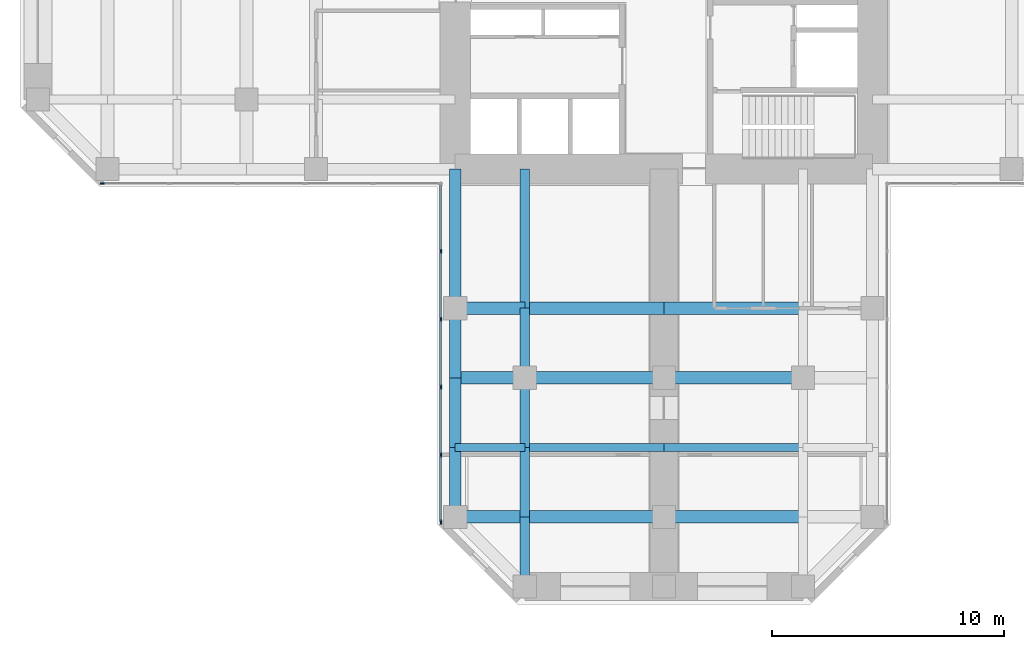
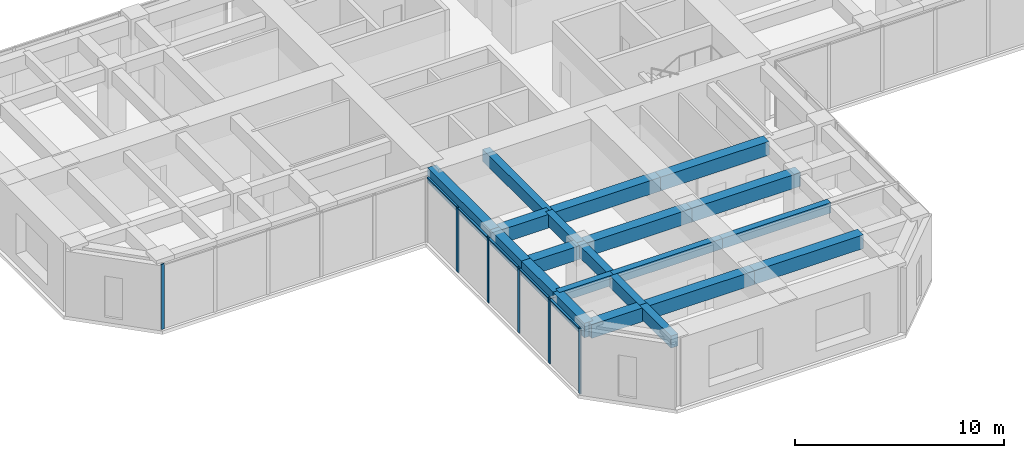
# One storey, part 2 of 12: 21 beams, 11 members, 2 elements without a shape of their own.
"""IFC4 building model written with IfcOpenShell, lengths in metres."""

from ifc_helpers import new_model, si_unit, direction, frame, origin, origin_2d, place, context, subcontext, project, spatial, rectangle, extrude, material, material_profile, profile_set, type_object, element, aggregate, save


model = new_model("IFC4")

# Units and contexts
model_context = context("Model", 3, precision=1e-05, world=origin(), true_north=direction((0.0, 1.0)))
body_context = subcontext(model_context, "Body", "Model", "MODEL_VIEW")
ifc_project = project(units=[si_unit("LENGTHUNIT", "METRE"), si_unit("AREAUNIT", "SQUARE_METRE"), si_unit("VOLUMEUNIT", "CUBIC_METRE"), si_unit("PLANEANGLEUNIT", "RADIAN"), si_unit("MASSUNIT", "GRAM", prefix="KILO")], contexts=[model_context])

# Site, building, storey
site_placement = place(None, origin())
site = spatial("IfcSite", under=ifc_project, at=site_placement, CompositionType="ELEMENT")
building_placement = place(site_placement, origin())
building = spatial("IfcBuilding", under=site, at=building_placement, Name="Torre Cruceta", CompositionType="ELEMENT")
storey_placement = place(building_placement, frame((0.0, 0.0, 148.5)))
storey = spatial("IfcBuildingStorey", under=building, at=storey_placement, Name="L36", CompositionType="ELEMENT", Elevation=148.5)

# Beams
ifc_material_1 = material(Name="Concrete G60 (fck 60 MPa)", Category="concrete")
ifc_material_profile_1 = material_profile(ifc_material_1, rectangle(XDim=0.39990234375, YDim=0.699951171875, at=origin_2d()), Name="RC 400X700")
ifc_profile_set_1 = profile_set([ifc_material_profile_1], Name="Concrete G60 (fck 60 MPa)")
beam_type_1 = type_object("IfcBeamType", Name="COLUMN LINE BEAM RC 400X700", PredefinedType="BEAM", material=ifc_profile_set_1)
beam_1_placement = place(storey_placement, frame((-6.0, -9.0, 3.449951171875), z_axis=(0.0, -1.0, 0.0), x_axis=(1.0, 0.0, 0.0)))
element("IfcBeam", 1, at=beam_1_placement, inside=storey, type_object=beam_type_1, Name="LB5 L36 S col- 1", PredefinedType="BEAM", context=body_context, shape_type="SweptSolid", body=[
    extrude(rectangle(XDim=0.39990234375, YDim=0.699951171875, at=origin_2d()), origin(), (0.0, 0.0, 1.0), 6.0),
])
for number, where, z_axis, x_axis, name in (
    (2, (-6.0, -15.0, 3.449951171875), (0.0, -1.0, 0.0), (1.0, 0.0, 0.0), "LB5 L36 S col- 2"),
    (3, (-6.0, -18.0, 3.449951171875), (0.0, -1.0, 0.0), (1.0, 0.0, 0.0), "LB5 L36 S col- 3"),
    (4, (-6.0, -21.0, 3.449951171875), (0.0, -1.0, 0.0), (1.0, 0.0, 0.0), "LB5 L36 S col- 4"),
    (5, (-6.0, -24.0, 3.449951171875), (0.0, -1.0, 0.0), (1.0, 0.0, 0.0), "LB5 L36 S col- 5"),
):
    element("IfcBeam", number, at=place(storey_placement, frame(where, z_axis=z_axis, x_axis=x_axis)), inside=storey, type_object=beam_type_1, Name=name, PredefinedType="BEAM", context=body_context, shape_type="SweptSolid", body=[
        extrude(rectangle(XDim=0.39990234375, YDim=0.699951171875, at=origin_2d()), origin(), (0.0, 0.0, 1.0), 3.0),
    ])
ifc_material_2 = material(Name="Concrete G60 (fck 60 MPa)", Category="concrete")
ifc_material_profile_2 = material_profile(ifc_material_2, rectangle(XDim=0.550048828125, YDim=0.800048828125, at=origin_2d()), Name="RC 550X800")
ifc_profile_set_2 = profile_set([ifc_material_profile_2], Name="Concrete G60 (fck 60 MPa)")
beam_type_2 = type_object("IfcBeamType", Name="CROSS BEAM RC 550X800", PredefinedType="BEAM", material=ifc_profile_set_2)
beam_2_placement = place(storey_placement, frame((-9.0, -15.0, 3.39990234375), z_axis=(1.0, 0.0, 0.0), x_axis=(0.0, 1.0, 0.0)))
element("IfcBeam", 6, at=beam_2_placement, inside=storey, type_object=beam_type_2, Name="GB5 L36 S cross15 1", PredefinedType="BEAM", context=body_context, shape_type="SweptSolid", body=[
    extrude(rectangle(XDim=0.550048828125, YDim=0.800048828125, at=origin_2d()), origin(), (0.0, 0.0, 1.0), 3.0),
])
for number, where, z_axis, x_axis, name in (
    (7, (-6.0, -15.0, 3.39990234375), (1.0, 0.0, 0.0), (0.0, 1.0, 0.0), "GB5 L36 S cross15 2"),
    (8, (0.0, -15.0, 3.39990234375), (1.0, 0.0, 0.0), (0.0, 1.0, 0.0), "GB5 L36 S cross15 3"),
):
    element("IfcBeam", number, at=place(storey_placement, frame(where, z_axis=z_axis, x_axis=x_axis)), inside=storey, type_object=beam_type_2, Name=name, PredefinedType="BEAM", context=body_context, shape_type="SweptSolid", body=[
        extrude(rectangle(XDim=0.550048828125, YDim=0.800048828125, at=origin_2d()), origin(), (0.0, 0.0, 1.0), 6.0),
    ])
beam_3_placement = place(storey_placement, frame((-9.0, -18.0, 3.39990234375), z_axis=(1.0, 0.0, 0.0), x_axis=(0.0, 1.0, 0.0)))
element("IfcBeam", 9, at=beam_3_placement, inside=storey, type_object=beam_type_2, Name="GB5 L36 S cross18 1", PredefinedType="BEAM", context=body_context, shape_type="SweptSolid", body=[
    extrude(rectangle(XDim=0.550048828125, YDim=0.800048828125, at=origin_2d()), origin(), (0.0, 0.0, 1.0), 3.0),
])
for number, where, z_axis, x_axis, name in (
    (10, (-6.0, -18.0, 3.39990234375), (1.0, 0.0, 0.0), (0.0, 1.0, 0.0), "GB5 L36 S cross18 2"),
    (11, (0.0, -18.0, 3.39990234375), (1.0, 0.0, 0.0), (0.0, 1.0, 0.0), "GB5 L36 S cross18 3"),
):
    element("IfcBeam", number, at=place(storey_placement, frame(where, z_axis=z_axis, x_axis=x_axis)), inside=storey, type_object=beam_type_2, Name=name, PredefinedType="BEAM", context=body_context, shape_type="SweptSolid", body=[
        extrude(rectangle(XDim=0.550048828125, YDim=0.800048828125, at=origin_2d()), origin(), (0.0, 0.0, 1.0), 6.0),
    ])
beam_4_placement = place(storey_placement, frame((-9.0, -24.0, 3.39990234375), z_axis=(1.0, 0.0, 0.0), x_axis=(0.0, 1.0, 0.0)))
element("IfcBeam", 12, at=beam_4_placement, inside=storey, type_object=beam_type_2, Name="GB5 L36 S cross24 1", PredefinedType="BEAM", context=body_context, shape_type="SweptSolid", body=[
    extrude(rectangle(XDim=0.550048828125, YDim=0.800048828125, at=origin_2d()), origin(), (0.0, 0.0, 1.0), 3.0),
])
for number, where, z_axis, x_axis, name in (
    (13, (-6.0, -24.0, 3.39990234375), (1.0, 0.0, 0.0), (0.0, 1.0, 0.0), "GB5 L36 S cross24 2"),
    (14, (0.0, -24.0, 3.39990234375), (1.0, 0.0, 0.0), (0.0, 1.0, 0.0), "GB5 L36 S cross24 3"),
):
    element("IfcBeam", number, at=place(storey_placement, frame(where, z_axis=z_axis, x_axis=x_axis)), inside=storey, type_object=beam_type_2, Name=name, PredefinedType="BEAM", context=body_context, shape_type="SweptSolid", body=[
        extrude(rectangle(XDim=0.550048828125, YDim=0.800048828125, at=origin_2d()), origin(), (0.0, 0.0, 1.0), 6.0),
    ])

# Curtain wall, member
ifc_material_3 = material(Name="Aluminium unitised curtain wall", Category="aluminium")
curtain_wall_type = type_object("IfcCurtainWallType", Name="CURTAIN WALL CW-B OFFICE MID RISE", PredefinedType="USERDEFINED", material=ifc_material_3)
curtain_wall_1_placement = place(storey_placement, origin())
curtain_wall_1 = element("IfcCurtainWall", 15, at=curtain_wall_1_placement, inside=storey, type_object=curtain_wall_type, Name="CW-B L36 W side 14", ObjectType="UNITISED", PredefinedType="USERDEFINED")
ifc_material_4 = material(Name="Aluminium mullion", Category="aluminium")
ifc_material_profile_3 = material_profile(ifc_material_4, rectangle(XDim=0.06494140625, YDim=0.179931640625, at=origin_2d()), Name="AL 65X180")
ifc_profile_set_3 = profile_set([ifc_material_profile_3], Name="Aluminium mullion")
member_type_1 = type_object("IfcMemberType", Name="CW-B MULLION 65X180", PredefinedType="MULLION", material=ifc_profile_set_3)
member_1_placement = place(storey_placement, frame((-24.224365234375, -9.6201171875, 0.0), z_axis=(0.0, 0.0, 1.0), x_axis=(0.0, 1.0, 0.0)))
member_1 = element("IfcMember", 16, at=member_1_placement, type_object=member_type_1, Name="CW-B mullion 1", PredefinedType="MULLION", context=body_context, shape_type="SweptSolid", body=[
    extrude(rectangle(XDim=0.06494140625, YDim=0.179931640625, at=origin_2d()), origin(), (0.0, 0.0, 1.0), 3.800048828125),
])
aggregate(curtain_wall_1, [member_1])

# Curtain wall, members
curtain_wall_2_placement = place(storey_placement, origin())
curtain_wall_2 = element("IfcCurtainWall", 17, at=curtain_wall_2_placement, inside=storey, type_object=curtain_wall_type, Name="CW-B L36 S side 15", ObjectType="UNITISED", PredefinedType="USERDEFINED")
member_2_placement = place(storey_placement, frame((-9.6201171875, -12.54736328125, 0.0), z_axis=(0.0, 0.0, 1.0), x_axis=(1.0, 0.0, 0.0)))
member_2 = element("IfcMember", 18, at=member_2_placement, type_object=member_type_1, Name="CW-B mullion 2", PredefinedType="MULLION", context=body_context, shape_type="SweptSolid", body=[
    extrude(rectangle(XDim=0.06494140625, YDim=0.179931640625, at=origin_2d()), origin(), (0.0, 0.0, 1.0), 3.800048828125),
])
member_3_placement = place(storey_placement, frame((-9.6201171875, -15.474609375, 0.0), z_axis=(0.0, 0.0, 1.0), x_axis=(1.0, 0.0, 0.0)))
member_3 = element("IfcMember", 19, at=member_3_placement, type_object=member_type_1, Name="CW-B mullion 3", PredefinedType="MULLION", context=body_context, shape_type="SweptSolid", body=[
    extrude(rectangle(XDim=0.06494140625, YDim=0.179931640625, at=origin_2d()), origin(), (0.0, 0.0, 1.0), 3.800048828125),
])
member_4_placement = place(storey_placement, frame((-9.6201171875, -18.402099609375, 0.0), z_axis=(0.0, 0.0, 1.0), x_axis=(1.0, 0.0, 0.0)))
member_4 = element("IfcMember", 20, at=member_4_placement, type_object=member_type_1, Name="CW-B mullion 4", PredefinedType="MULLION", context=body_context, shape_type="SweptSolid", body=[
    extrude(rectangle(XDim=0.06494140625, YDim=0.179931640625, at=origin_2d()), origin(), (0.0, 0.0, 1.0), 3.800048828125),
])
member_5_placement = place(storey_placement, frame((-9.6201171875, -21.329345703125, 0.0), z_axis=(0.0, 0.0, 1.0), x_axis=(1.0, 0.0, 0.0)))
member_5 = element("IfcMember", 21, at=member_5_placement, type_object=member_type_1, Name="CW-B mullion 5", PredefinedType="MULLION", context=body_context, shape_type="SweptSolid", body=[
    extrude(rectangle(XDim=0.06494140625, YDim=0.179931640625, at=origin_2d()), origin(), (0.0, 0.0, 1.0), 3.800048828125),
])
member_6_placement = place(storey_placement, frame((-9.6201171875, -24.224365234375, 0.0), z_axis=(0.0, 0.0, 1.0), x_axis=(1.0, 0.0, 0.0)))
member_6 = element("IfcMember", 22, at=member_6_placement, type_object=member_type_1, Name="CW-B mullion 6", PredefinedType="MULLION", context=body_context, shape_type="SweptSolid", body=[
    extrude(rectangle(XDim=0.06494140625, YDim=0.179931640625, at=origin_2d()), origin(), (0.0, 0.0, 1.0), 3.800048828125),
])
ifc_material_5 = material(Name="Aluminium transom", Category="aluminium")
ifc_material_profile_4 = material_profile(ifc_material_5, rectangle(XDim=0.110107421875, YDim=0.06494140625, at=origin_2d()), Name="AL 110X65")
ifc_profile_set_4 = profile_set([ifc_material_profile_4], Name="Aluminium transom")
member_type_2 = type_object("IfcMemberType", Name="CW-B TRANSOM 65X110", PredefinedType="USERDEFINED", material=ifc_profile_set_4)
member_7_placement = place(storey_placement, frame((-9.6201171875, -9.68505859375, 3.767578125), z_axis=(0.0, -1.0, 0.0), x_axis=(1.0, 0.0, 0.0)))
member_7 = element("IfcMember", 23, at=member_7_placement, type_object=member_type_2, Name="CW-B transom 1", ObjectType="TRANSOM", PredefinedType="USERDEFINED", context=body_context, shape_type="SweptSolid", body=[
    extrude(rectangle(XDim=0.110107421875, YDim=0.06494140625, at=origin_2d()), origin(), (0.0, 0.0, 1.0), 2.829833984375),
])
member_8_placement = place(storey_placement, frame((-9.6201171875, -12.579833984375, 3.767578125), z_axis=(0.0, -1.0, 0.0), x_axis=(1.0, 0.0, 0.0)))
member_8 = element("IfcMember", 24, at=member_8_placement, type_object=member_type_2, Name="CW-B transom 2", ObjectType="TRANSOM", PredefinedType="USERDEFINED", context=body_context, shape_type="SweptSolid", body=[
    extrude(rectangle(XDim=0.110107421875, YDim=0.06494140625, at=origin_2d()), origin(), (0.0, 0.0, 1.0), 2.8623046875),
])
member_9_placement = place(storey_placement, frame((-9.6201171875, -15.50732421875, 3.767578125), z_axis=(0.0, -1.0, 0.0), x_axis=(1.0, 0.0, 0.0)))
member_9 = element("IfcMember", 25, at=member_9_placement, type_object=member_type_2, Name="CW-B transom 3", ObjectType="TRANSOM", PredefinedType="USERDEFINED", context=body_context, shape_type="SweptSolid", body=[
    extrude(rectangle(XDim=0.110107421875, YDim=0.06494140625, at=origin_2d()), origin(), (0.0, 0.0, 1.0), 2.8623046875),
])
member_10_placement = place(storey_placement, frame((-9.6201171875, -18.4345703125, 3.767578125), z_axis=(0.0, -1.0, 0.0), x_axis=(1.0, 0.0, 0.0)))
member_10 = element("IfcMember", 26, at=member_10_placement, type_object=member_type_2, Name="CW-B transom 4", ObjectType="TRANSOM", PredefinedType="USERDEFINED", context=body_context, shape_type="SweptSolid", body=[
    extrude(rectangle(XDim=0.110107421875, YDim=0.06494140625, at=origin_2d()), origin(), (0.0, 0.0, 1.0), 2.8623046875),
])
member_11_placement = place(storey_placement, frame((-9.6201171875, -21.362060546875, 3.767578125), z_axis=(0.0, -1.0, 0.0), x_axis=(1.0, 0.0, 0.0)))
member_11 = element("IfcMember", 27, at=member_11_placement, type_object=member_type_2, Name="CW-B transom 5", ObjectType="TRANSOM", PredefinedType="USERDEFINED", context=body_context, shape_type="SweptSolid", body=[
    extrude(rectangle(XDim=0.110107421875, YDim=0.06494140625, at=origin_2d()), origin(), (0.0, 0.0, 1.0), 2.829833984375),
])
aggregate(curtain_wall_2, [member_2, member_3, member_4, member_5, member_6, member_7, member_8, member_9, member_10, member_11])

# Beams
ifc_material_6 = material(Name="Concrete G60 (fck 60 MPa)", Category="concrete")
ifc_material_profile_5 = material_profile(ifc_material_6, rectangle(XDim=0.35009765625, YDim=0.60009765625, at=origin_2d()), Name="RC 350X600")
ifc_profile_set_5 = profile_set([ifc_material_profile_5], Name="Concrete G60 (fck 60 MPa)")
beam_type_3 = type_object("IfcBeamType", Name="SECONDARY BEAM RC 350X600", PredefinedType="JOIST", material=ifc_profile_set_5)
beam_5_placement = place(storey_placement, frame((-9.0, -21.0, 3.5), z_axis=(1.0, 0.0, 0.0), x_axis=(0.0, 1.0, 0.0)))
element("IfcBeam", 28, at=beam_5_placement, inside=storey, type_object=beam_type_3, Name="JB5 L36 S sec21 1", PredefinedType="JOIST", context=body_context, shape_type="SweptSolid", body=[
    extrude(rectangle(XDim=0.35009765625, YDim=0.60009765625, at=origin_2d()), origin(), (0.0, 0.0, 1.0), 3.0),
])
for number, where, z_axis, x_axis, name in (
    (29, (-6.0, -21.0, 3.5), (1.0, 0.0, 0.0), (0.0, 1.0, 0.0), "JB5 L36 S sec21 2"),
    (30, (0.0, -21.0, 3.5), (1.0, 0.0, 0.0), (0.0, 1.0, 0.0), "JB5 L36 S sec21 3"),
):
    element("IfcBeam", number, at=place(storey_placement, frame(where, z_axis=z_axis, x_axis=x_axis)), inside=storey, type_object=beam_type_3, Name=name, PredefinedType="JOIST", context=body_context, shape_type="SweptSolid", body=[
        extrude(rectangle(XDim=0.35009765625, YDim=0.60009765625, at=origin_2d()), origin(), (0.0, 0.0, 1.0), 6.0),
    ])
ifc_material_7 = material(Name="Concrete G60 (fck 60 MPa)", Category="concrete")
ifc_material_profile_6 = material_profile(ifc_material_7, rectangle(XDim=0.5, YDim=0.85009765625, at=origin_2d()), Name="RC 500X850")
ifc_profile_set_6 = profile_set([ifc_material_profile_6], Name="Concrete G60 (fck 60 MPa)")
beam_type_4 = type_object("IfcBeamType", Name="SPANDREL BEAM RC 500X850", PredefinedType="SPANDREL", material=ifc_profile_set_6)
beam_6_placement = place(storey_placement, frame((-9.0, -9.0, 3.375), z_axis=(0.0, -1.0, 0.0), x_axis=(1.0, 0.0, 0.0)))
element("IfcBeam", 31, at=beam_6_placement, inside=storey, type_object=beam_type_4, Name="SB5 L36 S side- 1", PredefinedType="SPANDREL", context=body_context, shape_type="SweptSolid", body=[
    extrude(rectangle(XDim=0.5, YDim=0.85009765625, at=origin_2d()), origin(), (0.0, 0.0, 1.0), 6.0),
])
for number, where, z_axis, x_axis, name in (
    (32, (-9.0, -15.0, 3.375), (0.0, -1.0, 0.0), (1.0, 0.0, 0.0), "SB5 L36 S side- 2"),
    (33, (-9.0, -18.0, 3.375), (0.0, -1.0, 0.0), (1.0, 0.0, 0.0), "SB5 L36 S side- 3"),
    (34, (-9.0, -21.0, 3.375), (0.0, -1.0, 0.0), (1.0, 0.0, 0.0), "SB5 L36 S side- 4"),
):
    element("IfcBeam", number, at=place(storey_placement, frame(where, z_axis=z_axis, x_axis=x_axis)), inside=storey, type_object=beam_type_4, Name=name, PredefinedType="SPANDREL", context=body_context, shape_type="SweptSolid", body=[
        extrude(rectangle(XDim=0.5, YDim=0.85009765625, at=origin_2d()), origin(), (0.0, 0.0, 1.0), 3.0),
    ])

save(model, "model.ifc")
